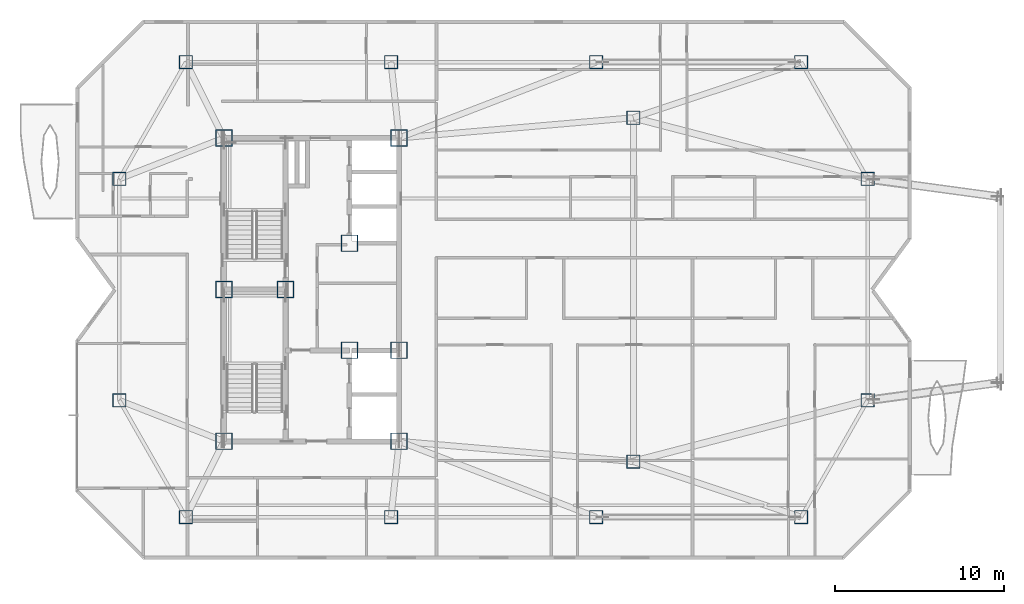
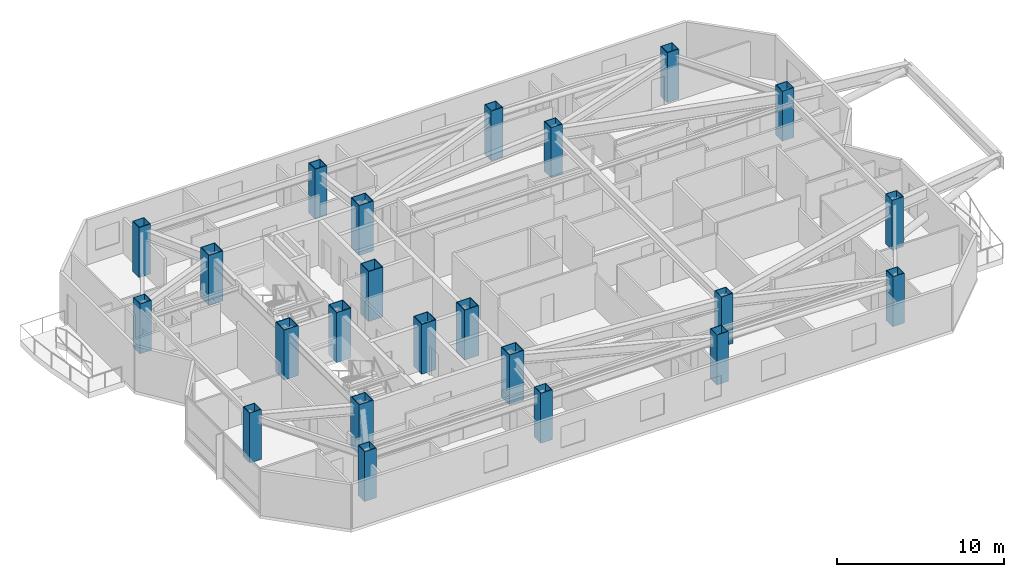
# One storey, part 1 of 14: 23 columns.
"""IFC4 building model written with IfcOpenShell, lengths in metres."""

import ifcopenshell
import ifcopenshell.guid

model = None  # the IFC model being written
_history = None  # IfcOwnerHistory: only IFC2X3 demands one
_inside = {}  # id of a spatial element -> (the spatial element, [elements in it])
_under = {}  # id of a project, library or spatial element -> (it, [spatial elements below it])
_declared = {}  # id of a project -> (the project, [libraries it declares])
_typed = {}  # id of a type object -> (the type object, [elements of that type])
_made_of = {}  # id of a material, layer set ... -> (it, [elements and type objects made of it])


def new_model(schema):
    """Start an empty IFC model of exactly this schema.

    Asked for "IFC4X3", IfcOpenShell would pick the latest addendum, in which some entities
    have other attributes; the version numbers below select the first issue.
    IFC2X3 requires an IfcOwnerHistory on every rooted entity: one is made here for all.
    """
    global model, _history
    if schema == "IFC4X3":
        model = ifcopenshell.file(schema_version=(4, 3, 0, 0))
    else:
        model = ifcopenshell.file(schema=schema)
    _inside.clear()
    _under.clear()
    _declared.clear()
    _typed.clear()
    _made_of.clear()
    _history = None
    if model.schema == "IFC2X3":
        org = make("IfcOrganization", Name="unknown")
        user = make(
            "IfcPersonAndOrganization",
            ThePerson=make("IfcPerson", FamilyName="unknown"),
            TheOrganization=org,
        )
        app = make(
            "IfcApplication",
            ApplicationDeveloper=org,
            Version="unknown",
            ApplicationFullName="unknown",
            ApplicationIdentifier="unknown",
        )
        _history = make(
            "IfcOwnerHistory",
            OwningUser=user,
            OwningApplication=app,
            ChangeAction="ADDED",
            CreationDate=0,
        )
    return model


def make(cls, **values):
    """One entity of the class cls with the attributes given. An attribute that is None is left unset."""
    return model.create_entity(
        cls, **{name: value for name, value in values.items() if value is not None}
    )


def rooted(cls, **values):
    """An entity with a GlobalId (a new one), such as an element, a storey or a relation."""
    return make(cls, GlobalId=ifcopenshell.guid.new(), OwnerHistory=_history, **values)


def si_unit(unit_type, name, prefix=None):
    """IfcSIUnit, for example si_unit("LENGTHUNIT", "METRE", prefix="MILLI")."""
    return make("IfcSIUnit", UnitType=unit_type, Prefix=prefix, Name=name)


def assignment(units):
    """IfcUnitAssignment: the units of a project."""
    return None if units is None else make("IfcUnitAssignment", Units=units)


def point(xyz):
    """IfcCartesianPoint."""
    return None if xyz is None else make("IfcCartesianPoint", Coordinates=xyz)


def direction(xyz):
    """IfcDirection."""
    return None if xyz is None else make("IfcDirection", DirectionRatios=xyz)


def frame(location, z_axis=None, x_axis=None):
    """IfcAxis2Placement3D, a coordinate frame: its origin and axes. An axis left out is left unset."""
    return make(
        "IfcAxis2Placement3D",
        Location=point(location),
        Axis=direction(z_axis),
        RefDirection=direction(x_axis),
    )


def frame_2d(location, x_axis=None):
    """IfcAxis2Placement2D, a coordinate frame in the plane: its origin and x axis."""
    return make(
        "IfcAxis2Placement2D", Location=point(location), RefDirection=direction(x_axis)
    )


def origin():
    """The frame at (0, 0, 0) with its axes left unset."""
    return frame((0.0, 0.0, 0.0))


def origin_2d():
    """The frame at (0, 0) in the plane with its x axis left unset."""
    return frame_2d((0.0, 0.0))


def place(relative_to, where):
    """IfcLocalPlacement: puts the frame where relative to a parent placement (None: the world)."""
    return make(
        "IfcLocalPlacement", PlacementRelTo=relative_to, RelativePlacement=where
    )


def context(
    kind, dimensions, precision=None, world=None, true_north=None, identifier=None
):
    """IfcGeometricRepresentationContext, for example the 3D "Model" context."""
    return make(
        "IfcGeometricRepresentationContext",
        ContextIdentifier=identifier,
        ContextType=kind,
        CoordinateSpaceDimension=dimensions,
        Precision=precision,
        WorldCoordinateSystem=world,
        TrueNorth=true_north,
    )


def subcontext(parent, identifier, kind, view, scale=None):
    """IfcGeometricRepresentationSubContext, for example "Body" below "Model"."""
    return make(
        "IfcGeometricRepresentationSubContext",
        ContextIdentifier=identifier,
        ContextType=kind,
        ParentContext=parent,
        TargetScale=scale,
        TargetView=view,
    )


def project(units=None, contexts=None):
    """IfcProject with its units and contexts."""
    return rooted(
        "IfcProject",
        Name="project",
        RepresentationContexts=contexts,
        UnitsInContext=assignment(units),
    )


def spatial(cls, under=None, at=None, **own):
    """A site, building, storey or space (cls), placed at a placement, below another one or the project."""
    s = rooted(cls, ObjectPlacement=at, **own)
    if under is not None:
        _under.setdefault(under.id(), (under, []))[1].append(s)
    return s


def profile(cls, at=None, kind="AREA", **sizes):
    """A parametric profile (cls). Its sizes go by their IFC names, for example OverallWidth=200.0."""
    return make(cls, ProfileType=kind, Position=at, **sizes)


def hollow_rectangle(**sizes):
    """IfcRectangleHollowProfileDef."""
    return profile("IfcRectangleHollowProfileDef", **sizes)


def extrude(swept, where, along, depth):
    """IfcExtrudedAreaSolid: the profile swept, set in the frame where, extruded along a direction by depth."""
    return make(
        "IfcExtrudedAreaSolid",
        SweptArea=swept,
        Position=where,
        ExtrudedDirection=direction(along),
        Depth=depth,
    )


def shape(context_of_items, identifier, shape_type, items):
    """IfcShapeRepresentation: the items that make up one representation, for example the "Body"."""
    return make(
        "IfcShapeRepresentation",
        ContextOfItems=context_of_items,
        RepresentationIdentifier=identifier,
        RepresentationType=shape_type,
        Items=items,
    )


def material(Name=None, Category=None):
    """IfcMaterial."""
    return make("IfcMaterial", Name=Name, Category=Category)


def material_profile(
    of_material, cross_section, Name=None, Category=None, Priority=None
):
    """IfcMaterialProfile: a cross section and its material."""
    return make(
        "IfcMaterialProfile",
        Name=Name,
        Material=of_material,
        Profile=cross_section,
        Priority=Priority,
        Category=Category,
    )


def profile_set(profiles, Name=None, composite=None):
    """IfcMaterialProfileSet."""
    return make(
        "IfcMaterialProfileSet",
        Name=Name,
        MaterialProfiles=profiles,
        CompositeProfile=composite,
    )


def made_of(thing, what):
    """Note that an element or type object is made of a material, layer set ...; save() writes the relation."""
    if what is not None:
        _made_of.setdefault(what.id(), (what, []))[1].append(thing)
    return thing


def type_object(cls, material=None, **own):
    """A type object (cls), such as IfcWallType, which elements share."""
    return made_of(rooted(cls, **own), material)


def element(
    cls,
    number,
    at=None,
    inside=None,
    cuts=None,
    type_object=None,
    material=None,
    context=None,
    identifier="Body",
    shape_type=None,
    held_by="IfcProductDefinitionShape",
    body=None,
    shapes=None,
    **own,
):
    """One element of the class cls, such as IfcWall. Its Tag is "e" and its number.

    at: its placement. inside: the storey or other place that contains it. cuts: it is an
    opening in that element (IfcRelVoidsElement). A single representation is given by context,
    identifier, shape_type and body (its items); several are given by shapes. held_by: the class
    of the entity that holds the representations. save() writes the other relations.
    """
    e = rooted(cls, Tag="e%d" % number, ObjectPlacement=at, **own)
    if body is not None:
        shapes = [shape(context, identifier, shape_type, body)]
    if shapes is not None:
        e.Representation = make(held_by, Representations=shapes)
    if inside is not None:
        _inside.setdefault(inside.id(), (inside, []))[1].append(e)
    if cuts is not None:
        rooted(
            "IfcRelVoidsElement", RelatingBuildingElement=cuts, RelatedOpeningElement=e
        )
    if type_object is not None:
        _typed.setdefault(type_object.id(), (type_object, []))[1].append(e)
    return made_of(e, material)


def aggregate(whole, parts):
    """IfcRelAggregates: a whole, such as a stair, and the parts it consists of."""
    return rooted("IfcRelAggregates", RelatingObject=whole, RelatedObjects=parts)


def save(model, path):
    """Write the relations noted so far, then the file.

    IfcRelAggregates (storeys below a building ...), IfcRelContainedInSpatialStructure (elements
    in a storey), IfcRelDefinesByType, IfcRelAssociatesMaterial and IfcRelDeclares: one each for
    every whole, place, type object, material and project.
    """
    for whole, parts in _under.values():
        aggregate(whole, parts)
    for where, things in _inside.values():
        rooted(
            "IfcRelContainedInSpatialStructure",
            RelatedElements=things,
            RelatingStructure=where,
        )
    for kind, things in _typed.values():
        rooted("IfcRelDefinesByType", RelatedObjects=things, RelatingType=kind)
    for what, things in _made_of.values():
        rooted("IfcRelAssociatesMaterial", RelatedObjects=things, RelatingMaterial=what)
    for by, libraries in _declared.values():
        rooted("IfcRelDeclares", RelatingContext=by, RelatedDefinitions=libraries)
    model.write(path)


model = new_model("IFC4")

# Units and contexts
model_context = context("Model", 3, precision=1e-05, world=origin(), true_north=direction((0.0, 1.0)))
body_context = subcontext(model_context, "Body", "Model", "MODEL_VIEW")
ifc_project = project(units=[si_unit("LENGTHUNIT", "METRE"), si_unit("AREAUNIT", "SQUARE_METRE"), si_unit("VOLUMEUNIT", "CUBIC_METRE"), si_unit("PLANEANGLEUNIT", "RADIAN"), si_unit("MASSUNIT", "GRAM", prefix="KILO")], contexts=[model_context])

# Site, building, storey
site_placement = place(None, origin())
site = spatial("IfcSite", under=ifc_project, at=site_placement, CompositionType="ELEMENT")
building_placement = place(site_placement, origin())
building = spatial("IfcBuilding", under=site, at=building_placement, Name="Khamvora Tower", CompositionType="ELEMENT")
storey_placement = place(building_placement, frame((0.0, 0.0, 261.0)))
storey = spatial("IfcBuildingStorey", under=building, at=storey_placement, Name="L67", CompositionType="ELEMENT", Elevation=261.0)

# Columns
ifc_material_1 = material(Name="Steel S355", Category="steel")
ifc_material_profile_1 = material_profile(ifc_material_1, hollow_rectangle(XDim=0.800048828125, YDim=0.800048828125, WallThickness=0.0400390625, at=origin_2d()), Name="BOX800x800x40")
ifc_profile_set_1 = profile_set([ifc_material_profile_1], Name="Steel S355")
column_type_1 = type_object("IfcColumnType", Name="COL-BOX800", PredefinedType="COLUMN", material=ifc_profile_set_1)
for number, where, z_axis, x_axis, name in (
    (1, (26.75, 14.5, 0.0), (0.0, 0.0, 1.0), (1.0, 0.0, 0.0), "L67 structural frame column S1"),
    (2, (38.9169921875, 14.5, 0.0), (0.0, 0.0, 1.0), (1.0, 0.0, 0.0), "L67 structural frame column S2"),
    (3, (51.0830078125, 14.5, 0.0), (0.0, 0.0, 1.0), (1.0, 0.0, 0.0), "L67 structural frame column S3"),
    (4, (63.25, 14.5, 0.0), (0.0, 0.0, 1.0), (1.0, 0.0, 0.0), "L67 structural frame column S4"),
    (5, (26.75, 41.5, 0.0), (0.0, 0.0, 1.0), (1.0, 0.0, 0.0), "L67 structural frame column N1"),
    (6, (38.9169921875, 41.5, 0.0), (0.0, 0.0, 1.0), (1.0, 0.0, 0.0), "L67 structural frame column N2"),
    (7, (51.0830078125, 41.5, 0.0), (0.0, 0.0, 1.0), (1.0, 0.0, 0.0), "L67 structural frame column N3"),
    (8, (63.25, 41.5, 0.0), (0.0, 0.0, 1.0), (1.0, 0.0, 0.0), "L67 structural frame column N4"),
    (9, (22.800048828125, 21.425048828125, 0.0), (0.0, 0.0, 1.0), (1.0, 0.0, 0.0), "L67 structural frame column W1"),
    (10, (22.800048828125, 34.574951171875, 0.0), (0.0, 0.0, 1.0), (1.0, 0.0, 0.0), "L67 structural frame column W2"),
    (11, (67.199951171875, 21.425048828125, 0.0), (0.0, 0.0, 1.0), (1.0, 0.0, 0.0), "L67 structural frame column E1"),
    (12, (67.199951171875, 34.574951171875, 0.0), (0.0, 0.0, 1.0), (1.0, 0.0, 0.0), "L67 structural frame column E2"),
    (13, (53.300048828125, 17.800048828125, 0.0), (0.0, 0.0, 1.0), (1.0, 0.0, 0.0), "L67 structural frame column M1"),
    (14, (53.300048828125, 38.199951171875, 0.0), (0.0, 0.0, 1.0), (1.0, 0.0, 0.0), "L67 structural frame column M2"),
):
    element("IfcColumn", number, at=place(storey_placement, frame(where, z_axis=z_axis, x_axis=x_axis)), inside=storey, type_object=column_type_1, Name=name, PredefinedType="COLUMN", context=body_context, shape_type="SweptSolid", body=[
        extrude(hollow_rectangle(XDim=0.800048828125, YDim=0.800048828125, WallThickness=0.0400390625, at=origin_2d()), origin(), (0.0, 0.0, 1.0), 3.64990234375),
    ])
ifc_material_2 = material(Name="Structural Steel S460ML", Category="steel")
ifc_material_profile_2 = material_profile(ifc_material_2, hollow_rectangle(XDim=1.0, YDim=1.0, WallThickness=0.050048828125, at=origin_2d()), Name="BOX1000x1000x50")
ifc_profile_set_2 = profile_set([ifc_material_profile_2], Name="Structural Steel S460ML")
column_type_2 = type_object("IfcColumnType", Name="COL-SC-BOX1000", PredefinedType="COLUMN", material=ifc_profile_set_2)
for number, where, z_axis, x_axis, name in (
    (15, (29.0, 19.0, 0.0), (0.0, 0.0, 1.0), (1.0, 0.0, 0.0), "L67 plumb core spine column SC1"),
    (16, (32.64990234375, 28.0, 0.0), (0.0, 0.0, 1.0), (1.0, 0.0, 0.0), "L67 plumb core spine column SC2"),
    (17, (39.39990234375, 19.0, 0.0), (0.0, 0.0, 1.0), (1.0, 0.0, 0.0), "L67 plumb core spine column SC3"),
    (18, (29.0, 28.0, 0.0), (0.0, 0.0, 1.0), (1.0, 0.0, 0.0), "L67 plumb core spine column SC4"),
    (19, (36.449951171875, 24.39990234375, 0.0), (0.0, 0.0, 1.0), (1.0, 0.0, 0.0), "L67 plumb core spine column SC5"),
    (20, (39.39990234375, 24.39990234375, 0.0), (0.0, 0.0, 1.0), (1.0, 0.0, 0.0), "L67 plumb core spine column SC6"),
    (21, (29.0, 37.0, 0.0), (0.0, 0.0, 1.0), (1.0, 0.0, 0.0), "L67 plumb core spine column SC7"),
    (22, (36.449951171875, 30.75, 0.0), (0.0, 0.0, 1.0), (1.0, 0.0, 0.0), "L67 plumb core spine column SC8"),
    (23, (39.39990234375, 37.0, 0.0), (0.0, 0.0, 1.0), (1.0, 0.0, 0.0), "L67 plumb core spine column SC9"),
):
    element("IfcColumn", number, at=place(storey_placement, frame(where, z_axis=z_axis, x_axis=x_axis)), inside=storey, type_object=column_type_2, Name=name, PredefinedType="COLUMN", context=body_context, shape_type="SweptSolid", body=[
        extrude(hollow_rectangle(XDim=1.0, YDim=1.0, WallThickness=0.050048828125, at=origin_2d()), origin(), (0.0, 0.0, 1.0), 3.64990234375),
    ])

save(model, "model.ifc")
